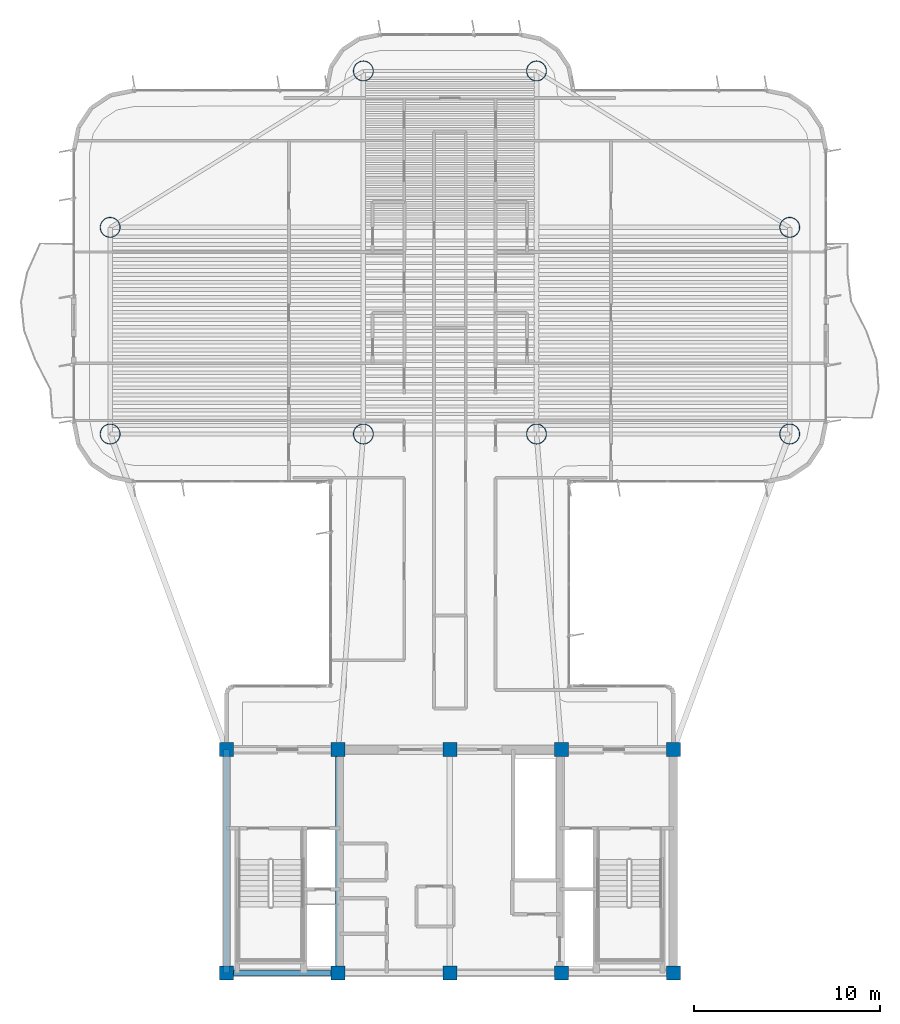
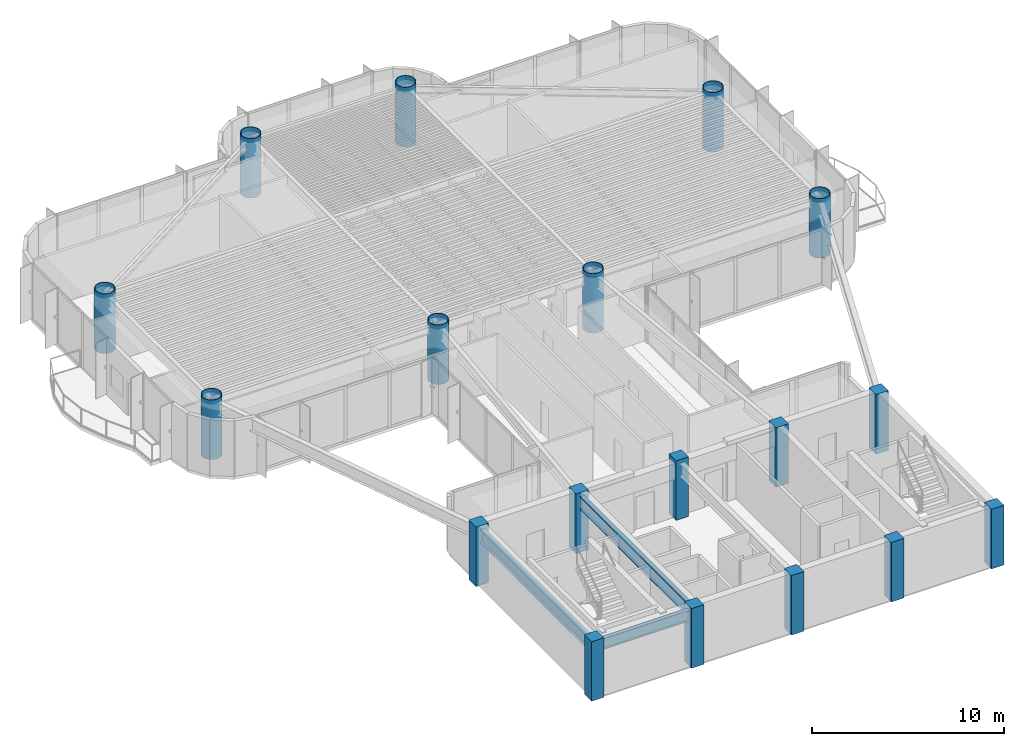
# One storey, part 1 of 15: 18 columns, 3 beams.
"""IFC4 building model written with IfcOpenShell, lengths in metres."""

from ifc_helpers import new_model, si_unit, direction, frame, origin, origin_2d, place, context, subcontext, project, spatial, rectangle, hollow_circle, i_section, extrude, source, transform, mapped, material, material_profile, profile_set, type_object, element, save


model = new_model("IFC4")

# Units and contexts
model_context = context("Model", 3, precision=1e-05, world=origin(), true_north=direction((0.0, 1.0)))
body_context = subcontext(model_context, "Body", "Model", "MODEL_VIEW")
ifc_project = project(units=[si_unit("LENGTHUNIT", "METRE"), si_unit("AREAUNIT", "SQUARE_METRE"), si_unit("VOLUMEUNIT", "CUBIC_METRE"), si_unit("PLANEANGLEUNIT", "RADIAN"), si_unit("MASSUNIT", "GRAM", prefix="KILO")], contexts=[model_context])

# Site, building, storey
site_placement = place(None, origin())
site = spatial("IfcSite", under=ifc_project, at=site_placement, CompositionType="ELEMENT")
building_placement = place(site_placement, origin())
building = spatial("IfcBuilding", under=site, at=building_placement, Name="Brelvock Crest Care Tower", CompositionType="ELEMENT")
storey_placement = place(building_placement, frame((0.0, 0.0, 167.760009765625)))
storey = spatial("IfcBuildingStorey", under=building, at=storey_placement, Name="L42", CompositionType="ELEMENT", Elevation=167.760009765625)

# Columns
ifc_material_1 = material(Name="Concrete S65 (65 MPa)", Category="concrete")
ifc_material_profile_1 = material_profile(ifc_material_1, rectangle(XDim=0.75, YDim=0.75, at=origin_2d()), Name="RC750x750")
ifc_profile_set_1 = profile_set([ifc_material_profile_1], Name="Concrete S65 (65 MPa)")
column_type_1 = type_object("IfcColumnType", Name="COL-RC3", PredefinedType="COLUMN", material=ifc_profile_set_1)
shared_shape_1 = source(origin(), body_context, "Body", "SweptSolid", [
    extrude(rectangle(XDim=0.75, YDim=0.75, at=origin_2d()), origin(), (0.0, 0.0, 1.0), 3.780029296875),
])
for number, where, z_axis, x_axis, name in (
    (1, (24.0, 6.0, 0.0), (0.0, 0.0, 1.0), (1.0, 0.0, 0.0), "L42 Core Column CC-01"),
    (2, (30.0, 6.0, 0.0), (0.0, 0.0, 1.0), (1.0, 0.0, 0.0), "L42 Core Column CC-02"),
    (3, (36.0, 6.0, 0.0), (0.0, 0.0, 1.0), (1.0, 0.0, 0.0), "L42 Core Column CC-03"),
    (4, (42.0, 6.0, 0.0), (0.0, 0.0, 1.0), (1.0, 0.0, 0.0), "L42 Core Column CC-04"),
    (5, (48.0, 6.0, 0.0), (0.0, 0.0, 1.0), (1.0, 0.0, 0.0), "L42 Core Column CC-05"),
    (6, (24.0, 18.0, 0.0), (0.0, 0.0, 1.0), (1.0, 0.0, 0.0), "L42 Core Column CC-06"),
    (7, (30.0, 18.0, 0.0), (0.0, 0.0, 1.0), (1.0, 0.0, 0.0), "L42 Core Column CC-07"),
    (8, (36.0, 18.0, 0.0), (0.0, 0.0, 1.0), (1.0, 0.0, 0.0), "L42 Core Column CC-08"),
    (9, (42.0, 18.0, 0.0), (0.0, 0.0, 1.0), (1.0, 0.0, 0.0), "L42 Core Column CC-09"),
    (10, (48.0, 18.0, 0.0), (0.0, 0.0, 1.0), (1.0, 0.0, 0.0), "L42 Core Column CC-10"),
):
    element("IfcColumn", number, at=place(storey_placement, frame(where, z_axis=z_axis, x_axis=x_axis)), inside=storey, type_object=column_type_1, Name=name, PredefinedType="COLUMN", context=body_context, shape_type="MappedRepresentation", body=[
        mapped(shared_shape_1, transform((0.0, 0.0, 0.0), x_axis=(1.0, 0.0, 0.0), y_axis=(0.0, 1.0, 0.0), z_axis=(0.0, 0.0, 1.0), scale=1.0)),
    ])
ifc_material_2 = material(Name="Steel Grade 350", Category="steel")
ifc_material_profile_2 = material_profile(ifc_material_2, hollow_circle(Radius=0.550048828125, WallThickness=0.0400390625, at=origin_2d()), Name="CFT1100x40")
ifc_profile_set_2 = profile_set([ifc_material_profile_2], Name="Steel Grade 350")
column_type_2 = type_object("IfcColumnType", Name="COL-MC3", PredefinedType="COLUMN", material=ifc_profile_set_2)
shared_shape_2 = source(origin(), body_context, "Body", "SweptSolid", [
    extrude(hollow_circle(Radius=0.550048828125, WallThickness=0.0400390625, at=origin_2d()), origin(), (0.0, 0.0, 1.0), 3.780029296875),
])
for number, where, z_axis, x_axis, name in (
    (11, (17.75, 34.949951171875, 0.0), (0.0, 0.0, 1.0), (1.0, 0.0, 0.0), "L42 Tower Column M1"),
    (12, (17.75, 46.050048828125, 0.0), (0.0, 0.0, 1.0), (1.0, 0.0, 0.0), "L42 Tower Column M2"),
    (13, (54.25, 34.949951171875, 0.0), (0.0, 0.0, 1.0), (1.0, 0.0, 0.0), "L42 Tower Column M3"),
    (14, (54.25, 46.050048828125, 0.0), (0.0, 0.0, 1.0), (1.0, 0.0, 0.0), "L42 Tower Column M4"),
    (15, (31.35009765625, 34.949951171875, 0.0), (0.0, 0.0, 1.0), (1.0, 0.0, 0.0), "L42 Tower Column M5"),
    (16, (40.64990234375, 34.949951171875, 0.0), (0.0, 0.0, 1.0), (1.0, 0.0, 0.0), "L42 Tower Column M6"),
    (17, (31.35009765625, 54.449951171875, 0.0), (0.0, 0.0, 1.0), (1.0, 0.0, 0.0), "L42 Tower Column M7"),
    (18, (40.64990234375, 54.449951171875, 0.0), (0.0, 0.0, 1.0), (1.0, 0.0, 0.0), "L42 Tower Column M8"),
):
    element("IfcColumn", number, at=place(storey_placement, frame(where, z_axis=z_axis, x_axis=x_axis)), inside=storey, type_object=column_type_2, Name=name, PredefinedType="COLUMN", context=body_context, shape_type="MappedRepresentation", body=[
        mapped(shared_shape_2, transform((0.0, 0.0, 0.0), x_axis=(1.0, 0.0, 0.0), y_axis=(0.0, 1.0, 0.0), z_axis=(0.0, 0.0, 1.0), scale=1.0)),
    ])

# Beams
ifc_material_profile_3 = material_profile(ifc_material_2, i_section(OverallWidth=0.25, OverallDepth=0.699951171875, WebThickness=0.011962890625, FlangeThickness=0.02001953125, at=origin_2d()), Name="700WB150")
ifc_profile_set_3 = profile_set([ifc_material_profile_3], Name="Steel Grade 350")
beam_type_1 = type_object("IfcBeamType", Name="BM-G4", PredefinedType="BEAM", material=ifc_profile_set_3)
shared_shape_3 = source(origin(), body_context, "Body", "SweptSolid", [
    extrude(i_section(OverallWidth=0.25, OverallDepth=0.699951171875, WebThickness=0.011962890625, FlangeThickness=0.02001953125, at=origin_2d()), origin(), (0.0, 0.0, 1.0), 6.0),
])
beam_placement = place(storey_placement, frame((24.0, 6.0, 3.179931640625), z_axis=(1.0, 0.0, 0.0), x_axis=(0.0, 1.0, 0.0)))
element("IfcBeam", 19, at=beam_placement, inside=storey, type_object=beam_type_1, Name="BM-CORES-L42-1", PredefinedType="BEAM", context=body_context, shape_type="MappedRepresentation", body=[
    mapped(shared_shape_3, transform((0.0, 0.0, 0.0), x_axis=(1.0, 0.0, 0.0), y_axis=(0.0, 1.0, 0.0), z_axis=(0.0, 0.0, 1.0), scale=1.0)),
])
ifc_material_profile_4 = material_profile(ifc_material_2, i_section(OverallWidth=0.300048828125, OverallDepth=0.800048828125, WebThickness=0.013916015625, FlangeThickness=0.02197265625, at=origin_2d()), Name="800WB192")
ifc_profile_set_4 = profile_set([ifc_material_profile_4], Name="Steel Grade 350")
beam_type_2 = type_object("IfcBeamType", Name="BM-G5", PredefinedType="BEAM", material=ifc_profile_set_4)
shared_shape_4 = source(origin(), body_context, "Body", "SweptSolid", [
    extrude(i_section(OverallWidth=0.300048828125, OverallDepth=0.800048828125, WebThickness=0.013916015625, FlangeThickness=0.02197265625, at=origin_2d()), origin(), (0.0, 0.0, 1.0), 12.0),
])
for number, where, z_axis, x_axis, name in (
    (20, (24.0, 6.0, 3.1298828125), (0.0, 1.0, 0.0), (-1.0, 0.0, 0.0), "BM-COREX-L42-1"),
    (21, (30.0, 6.0, 3.1298828125), (0.0, 1.0, 0.0), (-1.0, 0.0, 0.0), "BM-COREX-L42-2"),
):
    element("IfcBeam", number, at=place(storey_placement, frame(where, z_axis=z_axis, x_axis=x_axis)), inside=storey, type_object=beam_type_2, Name=name, PredefinedType="BEAM", context=body_context, shape_type="MappedRepresentation", body=[
        mapped(shared_shape_4, transform((0.0, 0.0, 0.0), x_axis=(1.0, 0.0, 0.0), y_axis=(0.0, 1.0, 0.0), z_axis=(0.0, 0.0, 1.0), scale=1.0)),
    ])

save(model, "model.ifc")
